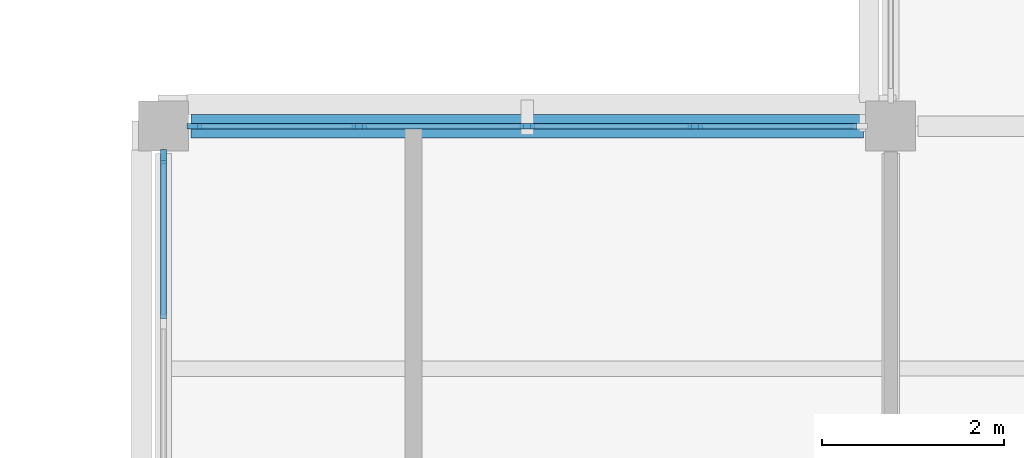
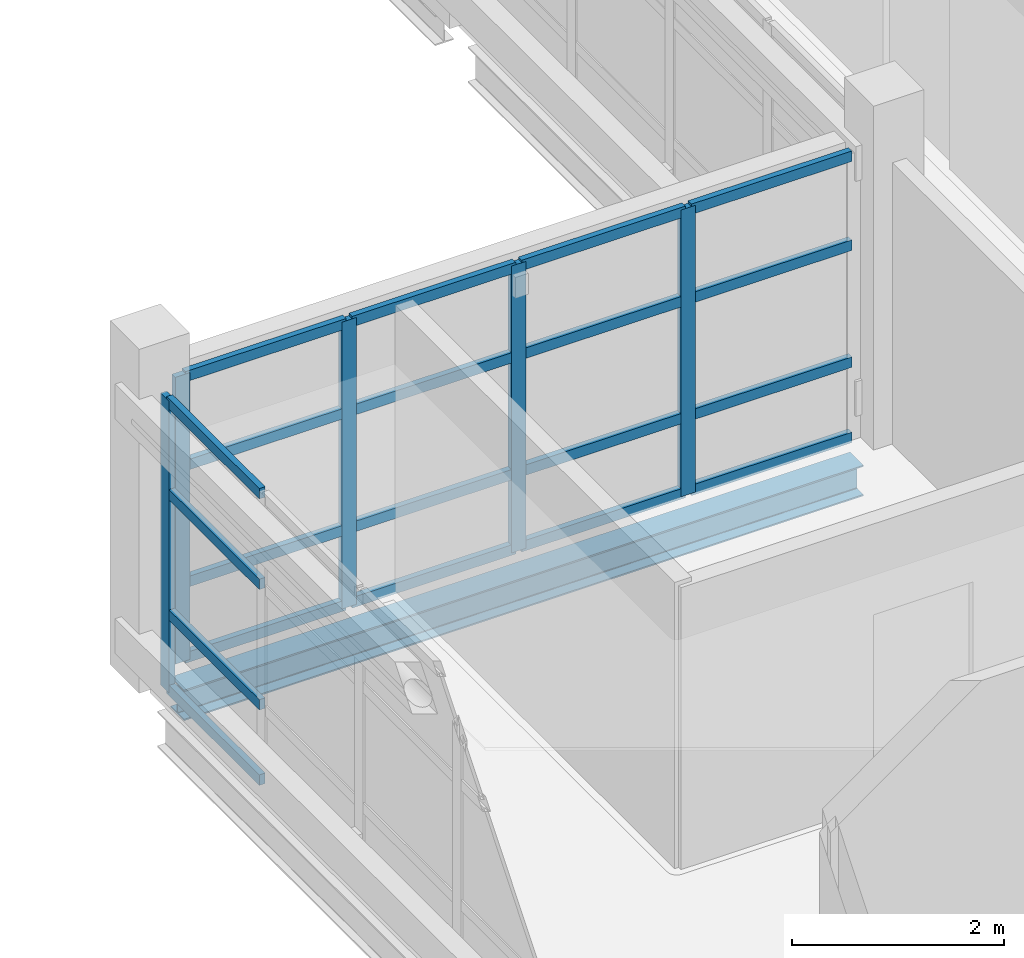
# One storey, part 29 of 107: 25 members, 1 beam, 2 elements without a shape of their own.
"""IFC4 building model written with IfcOpenShell, lengths in metres."""

import ifcopenshell
import ifcopenshell.guid

model = None  # the IFC model being written
_history = None  # IfcOwnerHistory: only IFC2X3 demands one
_inside = {}  # id of a spatial element -> (the spatial element, [elements in it])
_under = {}  # id of a project, library or spatial element -> (it, [spatial elements below it])
_declared = {}  # id of a project -> (the project, [libraries it declares])
_typed = {}  # id of a type object -> (the type object, [elements of that type])
_made_of = {}  # id of a material, layer set ... -> (it, [elements and type objects made of it])


def new_model(schema):
    """Start an empty IFC model of exactly this schema.

    Asked for "IFC4X3", IfcOpenShell would pick the latest addendum, in which some entities
    have other attributes; the version numbers below select the first issue.
    IFC2X3 requires an IfcOwnerHistory on every rooted entity: one is made here for all.
    """
    global model, _history
    if schema == "IFC4X3":
        model = ifcopenshell.file(schema_version=(4, 3, 0, 0))
    else:
        model = ifcopenshell.file(schema=schema)
    _inside.clear()
    _under.clear()
    _declared.clear()
    _typed.clear()
    _made_of.clear()
    _history = None
    if model.schema == "IFC2X3":
        org = make("IfcOrganization", Name="unknown")
        user = make(
            "IfcPersonAndOrganization",
            ThePerson=make("IfcPerson", FamilyName="unknown"),
            TheOrganization=org,
        )
        app = make(
            "IfcApplication",
            ApplicationDeveloper=org,
            Version="unknown",
            ApplicationFullName="unknown",
            ApplicationIdentifier="unknown",
        )
        _history = make(
            "IfcOwnerHistory",
            OwningUser=user,
            OwningApplication=app,
            ChangeAction="ADDED",
            CreationDate=0,
        )
    return model


def make(cls, **values):
    """One entity of the class cls with the attributes given. An attribute that is None is left unset."""
    return model.create_entity(
        cls, **{name: value for name, value in values.items() if value is not None}
    )


def rooted(cls, **values):
    """An entity with a GlobalId (a new one), such as an element, a storey or a relation."""
    return make(cls, GlobalId=ifcopenshell.guid.new(), OwnerHistory=_history, **values)


def si_unit(unit_type, name, prefix=None):
    """IfcSIUnit, for example si_unit("LENGTHUNIT", "METRE", prefix="MILLI")."""
    return make("IfcSIUnit", UnitType=unit_type, Prefix=prefix, Name=name)


def derived_unit(unit_type, elements):
    """IfcDerivedUnit: a product of units, each with its exponent."""
    return make(
        "IfcDerivedUnit",
        Elements=[
            make("IfcDerivedUnitElement", Unit=unit, Exponent=power)
            for unit, power in elements
        ],
        UnitType=unit_type,
    )


def assignment(units):
    """IfcUnitAssignment: the units of a project."""
    return None if units is None else make("IfcUnitAssignment", Units=units)


def point(xyz):
    """IfcCartesianPoint."""
    return None if xyz is None else make("IfcCartesianPoint", Coordinates=xyz)


def direction(xyz):
    """IfcDirection."""
    return None if xyz is None else make("IfcDirection", DirectionRatios=xyz)


def frame(location, z_axis=None, x_axis=None):
    """IfcAxis2Placement3D, a coordinate frame: its origin and axes. An axis left out is left unset."""
    return make(
        "IfcAxis2Placement3D",
        Location=point(location),
        Axis=direction(z_axis),
        RefDirection=direction(x_axis),
    )


def frame_2d(location, x_axis=None):
    """IfcAxis2Placement2D, a coordinate frame in the plane: its origin and x axis."""
    return make(
        "IfcAxis2Placement2D", Location=point(location), RefDirection=direction(x_axis)
    )


def origin():
    """The frame at (0, 0, 0) with its axes left unset."""
    return frame((0.0, 0.0, 0.0))


def origin_2d():
    """The frame at (0, 0) in the plane with its x axis left unset."""
    return frame_2d((0.0, 0.0))


def place(relative_to, where):
    """IfcLocalPlacement: puts the frame where relative to a parent placement (None: the world)."""
    return make(
        "IfcLocalPlacement", PlacementRelTo=relative_to, RelativePlacement=where
    )


def context(
    kind, dimensions, precision=None, world=None, true_north=None, identifier=None
):
    """IfcGeometricRepresentationContext, for example the 3D "Model" context."""
    return make(
        "IfcGeometricRepresentationContext",
        ContextIdentifier=identifier,
        ContextType=kind,
        CoordinateSpaceDimension=dimensions,
        Precision=precision,
        WorldCoordinateSystem=world,
        TrueNorth=true_north,
    )


def subcontext(parent, identifier, kind, view, scale=None):
    """IfcGeometricRepresentationSubContext, for example "Body" below "Model"."""
    return make(
        "IfcGeometricRepresentationSubContext",
        ContextIdentifier=identifier,
        ContextType=kind,
        ParentContext=parent,
        TargetScale=scale,
        TargetView=view,
    )


def project(units=None, contexts=None):
    """IfcProject with its units and contexts."""
    return rooted(
        "IfcProject",
        Name="project",
        RepresentationContexts=contexts,
        UnitsInContext=assignment(units),
    )


def spatial(cls, under=None, at=None, **own):
    """A site, building, storey or space (cls), placed at a placement, below another one or the project."""
    s = rooted(cls, ObjectPlacement=at, **own)
    if under is not None:
        _under.setdefault(under.id(), (under, []))[1].append(s)
    return s


def profile(cls, at=None, kind="AREA", **sizes):
    """A parametric profile (cls). Its sizes go by their IFC names, for example OverallWidth=200.0."""
    return make(cls, ProfileType=kind, Position=at, **sizes)


def rectangle(**sizes):
    """IfcRectangleProfileDef."""
    return profile("IfcRectangleProfileDef", **sizes)


def i_section(**sizes):
    """IfcIShapeProfileDef."""
    return profile("IfcIShapeProfileDef", **sizes)


def extrude(swept, where, along, depth):
    """IfcExtrudedAreaSolid: the profile swept, set in the frame where, extruded along a direction by depth."""
    return make(
        "IfcExtrudedAreaSolid",
        SweptArea=swept,
        Position=where,
        ExtrudedDirection=direction(along),
        Depth=depth,
    )


def shape(context_of_items, identifier, shape_type, items):
    """IfcShapeRepresentation: the items that make up one representation, for example the "Body"."""
    return make(
        "IfcShapeRepresentation",
        ContextOfItems=context_of_items,
        RepresentationIdentifier=identifier,
        RepresentationType=shape_type,
        Items=items,
    )


def material(Name=None, Category=None):
    """IfcMaterial."""
    return make("IfcMaterial", Name=Name, Category=Category)


def layer(
    of_material, thickness, ventilated=None, Name=None, Category=None, Priority=None
):
    """IfcMaterialLayer: one layer of a wall or slab, of a material (None: an air gap)."""
    return make(
        "IfcMaterialLayer",
        Material=of_material,
        LayerThickness=thickness,
        IsVentilated=ventilated,
        Name=Name,
        Category=Category,
        Priority=Priority,
    )


def layer_set(layers, Name=None):
    """IfcMaterialLayerSet."""
    return make("IfcMaterialLayerSet", MaterialLayers=layers, LayerSetName=Name)


def material_profile(
    of_material, cross_section, Name=None, Category=None, Priority=None
):
    """IfcMaterialProfile: a cross section and its material."""
    return make(
        "IfcMaterialProfile",
        Name=Name,
        Material=of_material,
        Profile=cross_section,
        Priority=Priority,
        Category=Category,
    )


def profile_set(profiles, Name=None, composite=None):
    """IfcMaterialProfileSet."""
    return make(
        "IfcMaterialProfileSet",
        Name=Name,
        MaterialProfiles=profiles,
        CompositeProfile=composite,
    )


def made_of(thing, what):
    """Note that an element or type object is made of a material, layer set ...; save() writes the relation."""
    if what is not None:
        _made_of.setdefault(what.id(), (what, []))[1].append(thing)
    return thing


def type_object(cls, material=None, **own):
    """A type object (cls), such as IfcWallType, which elements share."""
    return made_of(rooted(cls, **own), material)


def element(
    cls,
    number,
    at=None,
    inside=None,
    cuts=None,
    type_object=None,
    material=None,
    context=None,
    identifier="Body",
    shape_type=None,
    held_by="IfcProductDefinitionShape",
    body=None,
    shapes=None,
    **own,
):
    """One element of the class cls, such as IfcWall. Its Tag is "e" and its number.

    at: its placement. inside: the storey or other place that contains it. cuts: it is an
    opening in that element (IfcRelVoidsElement). A single representation is given by context,
    identifier, shape_type and body (its items); several are given by shapes. held_by: the class
    of the entity that holds the representations. save() writes the other relations.
    """
    e = rooted(cls, Tag="e%d" % number, ObjectPlacement=at, **own)
    if body is not None:
        shapes = [shape(context, identifier, shape_type, body)]
    if shapes is not None:
        e.Representation = make(held_by, Representations=shapes)
    if inside is not None:
        _inside.setdefault(inside.id(), (inside, []))[1].append(e)
    if cuts is not None:
        rooted(
            "IfcRelVoidsElement", RelatingBuildingElement=cuts, RelatedOpeningElement=e
        )
    if type_object is not None:
        _typed.setdefault(type_object.id(), (type_object, []))[1].append(e)
    return made_of(e, material)


def aggregate(whole, parts):
    """IfcRelAggregates: a whole, such as a stair, and the parts it consists of."""
    return rooted("IfcRelAggregates", RelatingObject=whole, RelatedObjects=parts)


def save(model, path):
    """Write the relations noted so far, then the file.

    IfcRelAggregates (storeys below a building ...), IfcRelContainedInSpatialStructure (elements
    in a storey), IfcRelDefinesByType, IfcRelAssociatesMaterial and IfcRelDeclares: one each for
    every whole, place, type object, material and project.
    """
    for whole, parts in _under.values():
        aggregate(whole, parts)
    for where, things in _inside.values():
        rooted(
            "IfcRelContainedInSpatialStructure",
            RelatedElements=things,
            RelatingStructure=where,
        )
    for kind, things in _typed.values():
        rooted("IfcRelDefinesByType", RelatedObjects=things, RelatingType=kind)
    for what, things in _made_of.values():
        rooted("IfcRelAssociatesMaterial", RelatedObjects=things, RelatingMaterial=what)
    for by, libraries in _declared.values():
        rooted("IfcRelDeclares", RelatingContext=by, RelatedDefinitions=libraries)
    model.write(path)


model = new_model("IFC4")

# Units and contexts
model_context = context("Model", 3, precision=1e-05, world=origin(), true_north=direction((0.0, 1.0)))
body_context = subcontext(model_context, "Body", "Model", "MODEL_VIEW")
ifc_project = project(units=[si_unit("LENGTHUNIT", "METRE"), si_unit("AREAUNIT", "SQUARE_METRE"), si_unit("VOLUMEUNIT", "CUBIC_METRE"), si_unit("PLANEANGLEUNIT", "RADIAN"), si_unit("MASSUNIT", "GRAM", prefix="KILO"), derived_unit("THERMALTRANSMITTANCEUNIT", [(si_unit("MASSUNIT", "GRAM", prefix="KILO"), 1), (si_unit("TIMEUNIT", "SECOND"), -3), (si_unit("THERMODYNAMICTEMPERATUREUNIT", "KELVIN"), -1)])], contexts=[model_context])

# Site, building, storey
site_placement = place(None, origin())
site = spatial("IfcSite", under=ifc_project, at=site_placement, CompositionType="ELEMENT")
building_placement = place(site_placement, origin())
building = spatial("IfcBuilding", under=site, at=building_placement, Name="Veyamyaing Civic Hall", CompositionType="ELEMENT")
storey_placement = place(building_placement, frame((0.0, 0.0, 13.860107421875)))
storey = spatial("IfcBuildingStorey", under=building, at=storey_placement, Name="L03", CompositionType="ELEMENT", Elevation=13.860107421875)

# Beam
ifc_material_1 = material(Name="Steel ASTM A992", Category="steel")
ifc_material_profile_1 = material_profile(ifc_material_1, i_section(OverallWidth=0.25390625, OverallDepth=0.35302734375, WebThickness=0.009521484375, FlangeThickness=0.016357421875, FilletRadius=0.011962890625, at=origin_2d()), Name="W360X91")
ifc_profile_set_1 = profile_set([ifc_material_profile_1], Name="Steel ASTM A992")
beam_type = type_object("IfcBeamType", Name="B-20", PredefinedType="SPANDREL", material=ifc_profile_set_1)
beam_placement = place(storey_placement, frame((56.300048828125, 64.0, -0.431640625), z_axis=(1.0, 0.0, 0.0), x_axis=(0.0, 1.0, 0.0)))
element("IfcBeam", 1, at=beam_placement, inside=storey, type_object=beam_type, Name="Girder B-20 L03 Grid J 8-9", PredefinedType="SPANDREL", context=body_context, shape_type="SweptSolid", body=[
    extrude(i_section(OverallWidth=0.25390625, OverallDepth=0.35302734375, WebThickness=0.009521484375, FlangeThickness=0.016357421875, FilletRadius=0.011962890625, at=origin_2d()), origin(), (0.0, 0.0, 1.0), 7.39990234375),
])

# Curtain wall, members
ifc_material_2 = material(Name="Anodised aluminium 6063-T6", Category="aluminium")
ifc_layer = layer(ifc_material_2, 0.159912109375, Name="Anodised aluminium 6063-T6")
ifc_layer_set = layer_set([ifc_layer], Name="Anodised aluminium 6063-T6")
curtain_wall_type = type_object("IfcCurtainWallType", Name="CW-07", PredefinedType="NOTDEFINED", material=ifc_layer_set)
curtain_wall_1_placement = place(storey_placement, origin())
curtain_wall_1 = element("IfcCurtainWall", 2, at=curtain_wall_1_placement, inside=storey, type_object=curtain_wall_type, Name="Unitized curtain wall CW-07 L03 N 8.8", PredefinedType="NOTDEFINED")
ifc_material_profile_2 = material_profile(ifc_material_2, rectangle(XDim=0.06494140625, YDim=0.159912109375, at=origin_2d()), Name="ALU-MUL-65X160")
ifc_profile_set_2 = profile_set([ifc_material_profile_2], Name="Anodised aluminium 6063-T6")
member_type_1 = type_object("IfcMemberType", Name="CWM-01", PredefinedType="MULLION", material=ifc_profile_set_2)
member_1_placement = place(storey_placement, frame((56.33740234375, 64.0, 0.0), z_axis=(0.0, 0.0, 1.0), x_axis=(0.0, 1.0, 0.0)))
member_1 = element("IfcMember", 3, at=member_1_placement, type_object=member_type_1, Name="CW-07 mullion 1", PredefinedType="MULLION", context=body_context, shape_type="SweptSolid", body=[
    extrude(rectangle(XDim=0.06494140625, YDim=0.159912109375, at=origin_2d()), origin(), (0.0, 0.0, 1.0), 3.303955078125),
])
member_2_placement = place(storey_placement, frame((58.152587890625, 64.0, 0.0), z_axis=(0.0, 0.0, 1.0), x_axis=(0.0, 1.0, 0.0)))
member_2 = element("IfcMember", 4, at=member_2_placement, type_object=member_type_1, Name="CW-07 mullion 2", PredefinedType="MULLION", context=body_context, shape_type="SweptSolid", body=[
    extrude(rectangle(XDim=0.06494140625, YDim=0.159912109375, at=origin_2d()), origin(), (0.0, 0.0, 1.0), 3.303955078125),
])
member_3_placement = place(storey_placement, frame((60.0, 64.0, 0.0), z_axis=(0.0, 0.0, 1.0), x_axis=(0.0, 1.0, 0.0)))
member_3 = element("IfcMember", 5, at=member_3_placement, type_object=member_type_1, Name="CW-07 mullion 3", PredefinedType="MULLION", context=body_context, shape_type="SweptSolid", body=[
    extrude(rectangle(XDim=0.06494140625, YDim=0.159912109375, at=origin_2d()), origin(), (0.0, 0.0, 1.0), 3.303955078125),
])
member_4_placement = place(storey_placement, frame((61.847412109375, 64.0, 0.0), z_axis=(0.0, 0.0, 1.0), x_axis=(0.0, 1.0, 0.0)))
member_4 = element("IfcMember", 6, at=member_4_placement, type_object=member_type_1, Name="CW-07 mullion 4", PredefinedType="MULLION", context=body_context, shape_type="SweptSolid", body=[
    extrude(rectangle(XDim=0.06494140625, YDim=0.159912109375, at=origin_2d()), origin(), (0.0, 0.0, 1.0), 3.303955078125),
])

# Curtain wall, member
curtain_wall_2_placement = place(storey_placement, origin())
curtain_wall_2 = element("IfcCurtainWall", 7, at=curtain_wall_2_placement, inside=storey, type_object=curtain_wall_type, Name="Unitized curtain wall CW-07 L03 W 8.8", PredefinedType="NOTDEFINED")
member_5_placement = place(storey_placement, frame((56.0, 63.66259765625, 0.0), z_axis=(0.0, 0.0, 1.0), x_axis=(-1.0, 0.0, 0.0)))
member_5 = element("IfcMember", 8, at=member_5_placement, type_object=member_type_1, Name="CW-07 mullion 5", PredefinedType="MULLION", context=body_context, shape_type="SweptSolid", body=[
    extrude(rectangle(XDim=0.06494140625, YDim=0.159912109375, at=origin_2d()), origin(), (0.0, 0.0, 1.0), 3.364013671875),
])

# Member
ifc_material_profile_3 = material_profile(ifc_material_2, rectangle(XDim=0.06494140625, YDim=0.1201171875, at=origin_2d()), Name="ALU-TRN-65X120")
ifc_profile_set_3 = profile_set([ifc_material_profile_3], Name="Anodised aluminium 6063-T6")
member_type_2 = type_object("IfcMemberType", Name="CWT-01", PredefinedType="USERDEFINED", material=ifc_profile_set_3)
member_6_placement = place(storey_placement, frame((56.3701171875, 64.0, 0.032470703125), z_axis=(1.0, 0.0, 0.0), x_axis=(0.0, 1.0, 0.0)))
member_6 = element("IfcMember", 9, at=member_6_placement, type_object=member_type_2, Name="CW-07 transom 1.1", ObjectType="TRANSOM", PredefinedType="USERDEFINED", context=body_context, shape_type="SweptSolid", body=[
    extrude(rectangle(XDim=0.06494140625, YDim=0.1201171875, at=origin_2d()), origin(), (0.0, 0.0, 1.0), 1.75),
])

member_7_placement = place(storey_placement, frame((56.3701171875, 64.0, 0.89990234375), z_axis=(1.0, 0.0, 0.0), x_axis=(0.0, 1.0, 0.0)))
member_7 = element("IfcMember", 10, at=member_7_placement, type_object=member_type_2, Name="CW-07 transom 1.2", ObjectType="TRANSOM", PredefinedType="USERDEFINED", context=body_context, shape_type="SweptSolid", body=[
    extrude(rectangle(XDim=0.06494140625, YDim=0.1201171875, at=origin_2d()), origin(), (0.0, 0.0, 1.0), 1.75),
])

member_8_placement = place(storey_placement, frame((56.3701171875, 64.0, 2.24658203125), z_axis=(1.0, 0.0, 0.0), x_axis=(0.0, 1.0, 0.0)))
member_8 = element("IfcMember", 11, at=member_8_placement, type_object=member_type_2, Name="CW-07 transom 1.3", ObjectType="TRANSOM", PredefinedType="USERDEFINED", context=body_context, shape_type="SweptSolid", body=[
    extrude(rectangle(XDim=0.06494140625, YDim=0.1201171875, at=origin_2d()), origin(), (0.0, 0.0, 1.0), 1.75),
])

member_9_placement = place(storey_placement, frame((56.3701171875, 64.0, 3.271484375), z_axis=(1.0, 0.0, 0.0), x_axis=(0.0, 1.0, 0.0)))
member_9 = element("IfcMember", 12, at=member_9_placement, type_object=member_type_2, Name="CW-07 transom 1.4", ObjectType="TRANSOM", PredefinedType="USERDEFINED", context=body_context, shape_type="SweptSolid", body=[
    extrude(rectangle(XDim=0.06494140625, YDim=0.1201171875, at=origin_2d()), origin(), (0.0, 0.0, 1.0), 1.75),
])

member_10_placement = place(storey_placement, frame((58.18505859375, 64.0, 0.032470703125), z_axis=(1.0, 0.0, 0.0), x_axis=(0.0, 1.0, 0.0)))
member_10 = element("IfcMember", 13, at=member_10_placement, type_object=member_type_2, Name="CW-07 transom 2.1", ObjectType="TRANSOM", PredefinedType="USERDEFINED", context=body_context, shape_type="SweptSolid", body=[
    extrude(rectangle(XDim=0.06494140625, YDim=0.1201171875, at=origin_2d()), origin(), (0.0, 0.0, 1.0), 1.782470703125),
])

member_11_placement = place(storey_placement, frame((58.18505859375, 64.0, 0.89990234375), z_axis=(1.0, 0.0, 0.0), x_axis=(0.0, 1.0, 0.0)))
member_11 = element("IfcMember", 14, at=member_11_placement, type_object=member_type_2, Name="CW-07 transom 2.2", ObjectType="TRANSOM", PredefinedType="USERDEFINED", context=body_context, shape_type="SweptSolid", body=[
    extrude(rectangle(XDim=0.06494140625, YDim=0.1201171875, at=origin_2d()), origin(), (0.0, 0.0, 1.0), 1.782470703125),
])

member_12_placement = place(storey_placement, frame((58.18505859375, 64.0, 2.24658203125), z_axis=(1.0, 0.0, 0.0), x_axis=(0.0, 1.0, 0.0)))
member_12 = element("IfcMember", 15, at=member_12_placement, type_object=member_type_2, Name="CW-07 transom 2.3", ObjectType="TRANSOM", PredefinedType="USERDEFINED", context=body_context, shape_type="SweptSolid", body=[
    extrude(rectangle(XDim=0.06494140625, YDim=0.1201171875, at=origin_2d()), origin(), (0.0, 0.0, 1.0), 1.782470703125),
])

member_13_placement = place(storey_placement, frame((58.18505859375, 64.0, 3.271484375), z_axis=(1.0, 0.0, 0.0), x_axis=(0.0, 1.0, 0.0)))
member_13 = element("IfcMember", 16, at=member_13_placement, type_object=member_type_2, Name="CW-07 transom 2.4", ObjectType="TRANSOM", PredefinedType="USERDEFINED", context=body_context, shape_type="SweptSolid", body=[
    extrude(rectangle(XDim=0.06494140625, YDim=0.1201171875, at=origin_2d()), origin(), (0.0, 0.0, 1.0), 1.782470703125),
])

member_14_placement = place(storey_placement, frame((60.032470703125, 64.0, 0.032470703125), z_axis=(1.0, 0.0, 0.0), x_axis=(0.0, 1.0, 0.0)))
member_14 = element("IfcMember", 17, at=member_14_placement, type_object=member_type_2, Name="CW-07 transom 3.1", ObjectType="TRANSOM", PredefinedType="USERDEFINED", context=body_context, shape_type="SweptSolid", body=[
    extrude(rectangle(XDim=0.06494140625, YDim=0.1201171875, at=origin_2d()), origin(), (0.0, 0.0, 1.0), 1.782470703125),
])

member_15_placement = place(storey_placement, frame((60.032470703125, 64.0, 0.89990234375), z_axis=(1.0, 0.0, 0.0), x_axis=(0.0, 1.0, 0.0)))
member_15 = element("IfcMember", 18, at=member_15_placement, type_object=member_type_2, Name="CW-07 transom 3.2", ObjectType="TRANSOM", PredefinedType="USERDEFINED", context=body_context, shape_type="SweptSolid", body=[
    extrude(rectangle(XDim=0.06494140625, YDim=0.1201171875, at=origin_2d()), origin(), (0.0, 0.0, 1.0), 1.782470703125),
])

member_16_placement = place(storey_placement, frame((60.032470703125, 64.0, 2.24658203125), z_axis=(1.0, 0.0, 0.0), x_axis=(0.0, 1.0, 0.0)))
member_16 = element("IfcMember", 19, at=member_16_placement, type_object=member_type_2, Name="CW-07 transom 3.3", ObjectType="TRANSOM", PredefinedType="USERDEFINED", context=body_context, shape_type="SweptSolid", body=[
    extrude(rectangle(XDim=0.06494140625, YDim=0.1201171875, at=origin_2d()), origin(), (0.0, 0.0, 1.0), 1.782470703125),
])

member_17_placement = place(storey_placement, frame((60.032470703125, 64.0, 3.271484375), z_axis=(1.0, 0.0, 0.0), x_axis=(0.0, 1.0, 0.0)))
member_17 = element("IfcMember", 20, at=member_17_placement, type_object=member_type_2, Name="CW-07 transom 3.4", ObjectType="TRANSOM", PredefinedType="USERDEFINED", context=body_context, shape_type="SweptSolid", body=[
    extrude(rectangle(XDim=0.06494140625, YDim=0.1201171875, at=origin_2d()), origin(), (0.0, 0.0, 1.0), 1.782470703125),
])

member_18_placement = place(storey_placement, frame((61.8798828125, 64.0, 0.032470703125), z_axis=(1.0, 0.0, 0.0), x_axis=(0.0, 1.0, 0.0)))
member_18 = element("IfcMember", 21, at=member_18_placement, type_object=member_type_2, Name="CW-07 transom 4.1", ObjectType="TRANSOM", PredefinedType="USERDEFINED", context=body_context, shape_type="SweptSolid", body=[
    extrude(rectangle(XDim=0.06494140625, YDim=0.1201171875, at=origin_2d()), origin(), (0.0, 0.0, 1.0), 1.75),
])

member_19_placement = place(storey_placement, frame((61.8798828125, 64.0, 0.89990234375), z_axis=(1.0, 0.0, 0.0), x_axis=(0.0, 1.0, 0.0)))
member_19 = element("IfcMember", 22, at=member_19_placement, type_object=member_type_2, Name="CW-07 transom 4.2", ObjectType="TRANSOM", PredefinedType="USERDEFINED", context=body_context, shape_type="SweptSolid", body=[
    extrude(rectangle(XDim=0.06494140625, YDim=0.1201171875, at=origin_2d()), origin(), (0.0, 0.0, 1.0), 1.75),
])

member_20_placement = place(storey_placement, frame((61.8798828125, 64.0, 2.24658203125), z_axis=(1.0, 0.0, 0.0), x_axis=(0.0, 1.0, 0.0)))
member_20 = element("IfcMember", 23, at=member_20_placement, type_object=member_type_2, Name="CW-07 transom 4.3", ObjectType="TRANSOM", PredefinedType="USERDEFINED", context=body_context, shape_type="SweptSolid", body=[
    extrude(rectangle(XDim=0.06494140625, YDim=0.1201171875, at=origin_2d()), origin(), (0.0, 0.0, 1.0), 1.75),
])

member_21_placement = place(storey_placement, frame((61.8798828125, 64.0, 3.271484375), z_axis=(1.0, 0.0, 0.0), x_axis=(0.0, 1.0, 0.0)))
member_21 = element("IfcMember", 24, at=member_21_placement, type_object=member_type_2, Name="CW-07 transom 4.4", ObjectType="TRANSOM", PredefinedType="USERDEFINED", context=body_context, shape_type="SweptSolid", body=[
    extrude(rectangle(XDim=0.06494140625, YDim=0.1201171875, at=origin_2d()), origin(), (0.0, 0.0, 1.0), 1.75),
])

aggregate(curtain_wall_1, [member_1, member_2, member_3, member_4, member_6, member_7, member_8, member_9, member_10, member_11, member_12, member_13, member_14, member_15, member_16, member_17, member_18, member_19, member_20, member_21])

member_22_placement = place(storey_placement, frame((56.0, 61.8798828125, 0.032470703125), z_axis=(0.0, 1.0, 0.0), x_axis=(-1.0, 0.0, 0.0)))
member_22 = element("IfcMember", 25, at=member_22_placement, type_object=member_type_2, Name="CW-07 transom 4.1", ObjectType="TRANSOM", PredefinedType="USERDEFINED", context=body_context, shape_type="SweptSolid", body=[
    extrude(rectangle(XDim=0.06494140625, YDim=0.1201171875, at=origin_2d()), origin(), (0.0, 0.0, 1.0), 1.75),
])

member_23_placement = place(storey_placement, frame((56.0, 61.8798828125, 0.89990234375), z_axis=(0.0, 1.0, 0.0), x_axis=(-1.0, 0.0, 0.0)))
member_23 = element("IfcMember", 26, at=member_23_placement, type_object=member_type_2, Name="CW-07 transom 4.2", ObjectType="TRANSOM", PredefinedType="USERDEFINED", context=body_context, shape_type="SweptSolid", body=[
    extrude(rectangle(XDim=0.06494140625, YDim=0.1201171875, at=origin_2d()), origin(), (0.0, 0.0, 1.0), 1.75),
])

member_24_placement = place(storey_placement, frame((56.0, 61.8798828125, 2.287353515625), z_axis=(0.0, 1.0, 0.0), x_axis=(-1.0, 0.0, 0.0)))
member_24 = element("IfcMember", 27, at=member_24_placement, type_object=member_type_2, Name="CW-07 transom 4.3", ObjectType="TRANSOM", PredefinedType="USERDEFINED", context=body_context, shape_type="SweptSolid", body=[
    extrude(rectangle(XDim=0.06494140625, YDim=0.1201171875, at=origin_2d()), origin(), (0.0, 0.0, 1.0), 1.75),
])

member_25_placement = place(storey_placement, frame((56.0, 61.8798828125, 3.331298828125), z_axis=(0.0, 1.0, 0.0), x_axis=(-1.0, 0.0, 0.0)))
member_25 = element("IfcMember", 28, at=member_25_placement, type_object=member_type_2, Name="CW-07 transom 4.4", ObjectType="TRANSOM", PredefinedType="USERDEFINED", context=body_context, shape_type="SweptSolid", body=[
    extrude(rectangle(XDim=0.06494140625, YDim=0.1201171875, at=origin_2d()), origin(), (0.0, 0.0, 1.0), 1.75),
])

aggregate(curtain_wall_2, [member_5, member_22, member_23, member_24, member_25])

save(model, "model.ifc")
